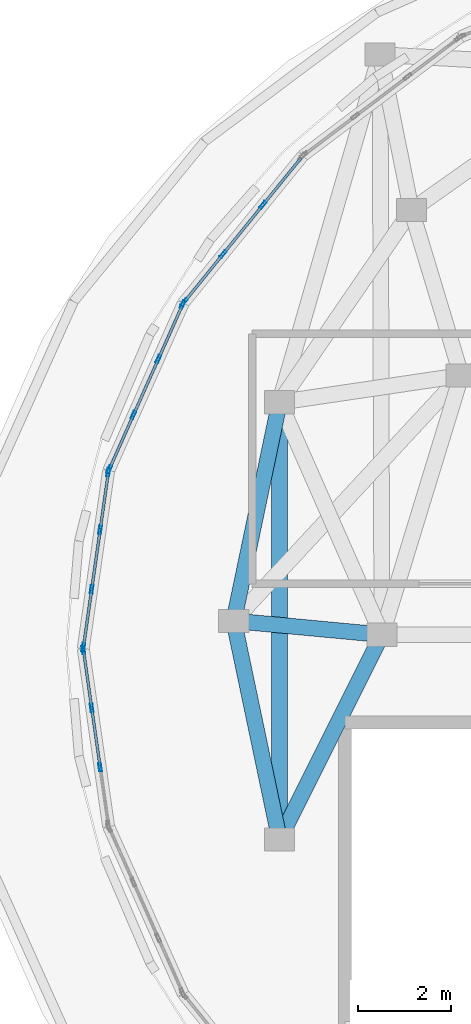
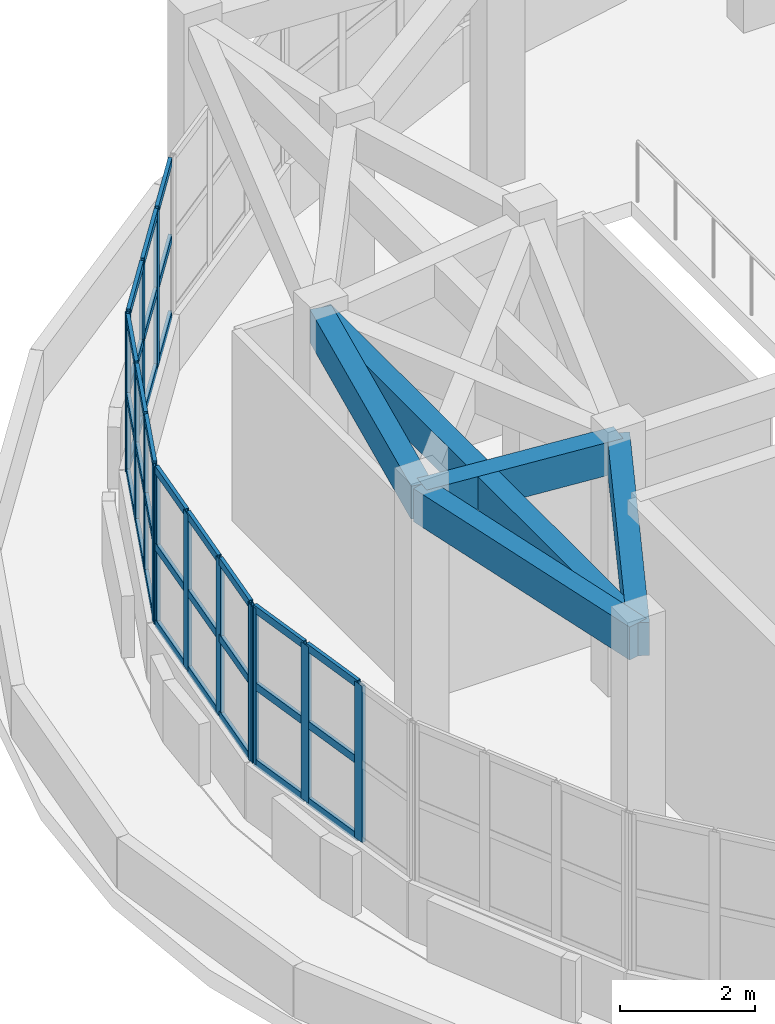
# One storey, part 11 of 98: 47 members, 5 beams, 4 elements without a shape of their own.
"""IFC4 building model written with IfcOpenShell, lengths in metres."""

from ifc_helpers import new_model, si_unit, direction, frame, origin, origin_2d, place, context, subcontext, project, spatial, rectangle, hollow_rectangle, extrude, material, layer, layer_set, material_profile, profile_set, type_object, element, aggregate, save


model = new_model("IFC4")

# Units and contexts
model_context = context("Model", 3, precision=1e-05, world=origin(), true_north=direction((0.0, 1.0)))
body_context = subcontext(model_context, "Body", "Model", "MODEL_VIEW")
ifc_project = project(units=[si_unit("LENGTHUNIT", "METRE"), si_unit("AREAUNIT", "SQUARE_METRE"), si_unit("VOLUMEUNIT", "CUBIC_METRE"), si_unit("PLANEANGLEUNIT", "RADIAN"), si_unit("MASSUNIT", "GRAM", prefix="KILO")], contexts=[model_context])

# Site, building, storey
site_placement = place(None, origin())
site = spatial("IfcSite", under=ifc_project, at=site_placement, CompositionType="ELEMENT")
building_placement = place(site_placement, origin())
building = spatial("IfcBuilding", under=site, at=building_placement, Name="Pelvatis Terrace Science Centre", CompositionType="ELEMENT")
storey_placement = place(building_placement, frame((0.0, 0.0, 5.39990234375)))
storey = spatial("IfcBuildingStorey", under=building, at=storey_placement, Name="L01", CompositionType="ELEMENT", Elevation=5.39990234375)

# Curtain wall, members
ifc_material_1 = material(Name="Bronze-anodised aluminium and laminated glass", Category="aluminium")
ifc_layer = layer(ifc_material_1, 0.179931640625)
ifc_layer_set = layer_set([ifc_layer], Name="Bronze-anodised aluminium and laminated glass")
curtain_wall_type = type_object("IfcCurtainWallType", Name="CW-RIBBON-A", PredefinedType="NOTDEFINED", material=ifc_layer_set)
curtain_wall_1_placement = place(storey_placement, origin())
curtain_wall_1 = element("IfcCurtainWall", 1, at=curtain_wall_1_placement, inside=storey, type_object=curtain_wall_type, Name="Ribbon curtain wall CW-027 (L01)", PredefinedType="NOTDEFINED")
ifc_material_2 = material(Name="Bronze-anodised aluminium 6063-T6", Category="aluminium")
ifc_material_profile_1 = material_profile(ifc_material_2, hollow_rectangle(XDim=0.06005859375, YDim=0.179931640625, WallThickness=0.00390625, at=origin_2d()), Name="ALU-MUL 60x180")
ifc_profile_set_1 = profile_set([ifc_material_profile_1], Name="Bronze-anodised aluminium 6063-T6")
member_type_1 = type_object("IfcMemberType", Name="CWM-60x180", PredefinedType="MULLION", material=ifc_profile_set_1)
member_1_placement = place(storey_placement, frame((31.43017578125, 44.381591796875, 1.02001953125), z_axis=(0.0, 0.0, 1.0), x_axis=(0.776811223185, -0.629733533753, 0.0)))
member_1 = element("IfcMember", 2, at=member_1_placement, type_object=member_type_1, Name="CW-027 mullion 2", PredefinedType="MULLION", context=body_context, shape_type="SweptSolid", body=[
    extrude(hollow_rectangle(XDim=0.06005859375, YDim=0.179931640625, WallThickness=0.00390625, at=origin_2d()), origin(), (0.0, 0.0, 1.0), 2.840087890625),
])
member_2_placement = place(storey_placement, frame((30.569580078125, 43.3203125, 1.02001953125), z_axis=(0.0, 0.0, 1.0), x_axis=(0.776811223185, -0.629733533753, 0.0)))
member_2 = element("IfcMember", 3, at=member_2_placement, type_object=member_type_1, Name="CW-027 mullion 3", PredefinedType="MULLION", context=body_context, shape_type="SweptSolid", body=[
    extrude(hollow_rectangle(XDim=0.06005859375, YDim=0.179931640625, WallThickness=0.00390625, at=origin_2d()), origin(), (0.0, 0.0, 1.0), 2.840087890625),
])
member_3_placement = place(storey_placement, frame((29.72802734375, 42.281982421875, 1.02001953125), z_axis=(0.0, 0.0, 1.0), x_axis=(0.776811223185, -0.629733533753, 0.0)))
member_3 = element("IfcMember", 4, at=member_3_placement, type_object=member_type_1, Name="CW-027 mullion 4", PredefinedType="MULLION", context=body_context, shape_type="SweptSolid", body=[
    extrude(hollow_rectangle(XDim=0.06005859375, YDim=0.179931640625, WallThickness=0.00390625, at=origin_2d()), origin(), (0.0, 0.0, 1.0), 2.840087890625),
])

curtain_wall_2_placement = place(storey_placement, origin())
curtain_wall_2 = element("IfcCurtainWall", 5, at=curtain_wall_2_placement, inside=storey, type_object=curtain_wall_type, Name="Ribbon curtain wall CW-028 (L01)", PredefinedType="NOTDEFINED")
member_4_placement = place(storey_placement, frame((29.697021484375, 42.2314453125, 1.02001953125), z_axis=(0.0, 0.0, 1.0), x_axis=(0.913474922935, -0.406895029669, 0.0)))
member_4 = element("IfcMember", 6, at=member_4_placement, type_object=member_type_1, Name="CW-028 mullion 1", PredefinedType="MULLION", context=body_context, shape_type="SweptSolid", body=[
    extrude(hollow_rectangle(XDim=0.06005859375, YDim=0.179931640625, WallThickness=0.00390625, at=origin_2d()), origin(), (0.0, 0.0, 1.0), 2.840087890625),
])
member_5_placement = place(storey_placement, frame((29.172119140625, 41.052978515625, 1.02001953125), z_axis=(0.0, 0.0, 1.0), x_axis=(0.913474922935, -0.406895029669, 0.0)))
member_5 = element("IfcMember", 7, at=member_5_placement, type_object=member_type_1, Name="CW-028 mullion 2", PredefinedType="MULLION", context=body_context, shape_type="SweptSolid", body=[
    extrude(hollow_rectangle(XDim=0.06005859375, YDim=0.179931640625, WallThickness=0.00390625, at=origin_2d()), origin(), (0.0, 0.0, 1.0), 2.840087890625),
])
member_6_placement = place(storey_placement, frame((28.634765625, 39.846923828125, 1.02001953125), z_axis=(0.0, 0.0, 1.0), x_axis=(0.913474922935, -0.406895029669, 0.0)))
member_6 = element("IfcMember", 8, at=member_6_placement, type_object=member_type_1, Name="CW-028 mullion 3", PredefinedType="MULLION", context=body_context, shape_type="SweptSolid", body=[
    extrude(hollow_rectangle(XDim=0.06005859375, YDim=0.179931640625, WallThickness=0.00390625, at=origin_2d()), origin(), (0.0, 0.0, 1.0), 2.840087890625),
])
member_7_placement = place(storey_placement, frame((28.10986328125, 38.66845703125, 1.02001953125), z_axis=(0.0, 0.0, 1.0), x_axis=(0.913474922935, -0.406895029669, 0.0)))
member_7 = element("IfcMember", 9, at=member_7_placement, type_object=member_type_1, Name="CW-028 mullion 4", PredefinedType="MULLION", context=body_context, shape_type="SweptSolid", body=[
    extrude(hollow_rectangle(XDim=0.06005859375, YDim=0.179931640625, WallThickness=0.00390625, at=origin_2d()), origin(), (0.0, 0.0, 1.0), 2.840087890625),
])

curtain_wall_3_placement = place(storey_placement, origin())
curtain_wall_3 = element("IfcCurtainWall", 10, at=curtain_wall_3_placement, inside=storey, type_object=curtain_wall_type, Name="Ribbon curtain wall CW-029 (L01)", PredefinedType="NOTDEFINED")
member_8_placement = place(storey_placement, frame((28.093505859375, 38.611328125, 1.02001953125), z_axis=(0.0, 0.0, 1.0), x_axis=(0.989986059839, -0.141165156196, 0.0)))
member_8 = element("IfcMember", 11, at=member_8_placement, type_object=member_type_1, Name="CW-029 mullion 1", PredefinedType="MULLION", context=body_context, shape_type="SweptSolid", body=[
    extrude(hollow_rectangle(XDim=0.06005859375, YDim=0.179931640625, WallThickness=0.00390625, at=origin_2d()), origin(), (0.0, 0.0, 1.0), 2.840087890625),
])
member_9_placement = place(storey_placement, frame((27.9150390625, 37.360595703125, 1.02001953125), z_axis=(0.0, 0.0, 1.0), x_axis=(0.989986059839, -0.141165156196, 0.0)))
member_9 = element("IfcMember", 12, at=member_9_placement, type_object=member_type_1, Name="CW-029 mullion 2", PredefinedType="MULLION", context=body_context, shape_type="SweptSolid", body=[
    extrude(hollow_rectangle(XDim=0.06005859375, YDim=0.179931640625, WallThickness=0.00390625, at=origin_2d()), origin(), (0.0, 0.0, 1.0), 2.840087890625),
])
member_10_placement = place(storey_placement, frame((27.732666015625, 36.080322265625, 1.02001953125), z_axis=(0.0, 0.0, 1.0), x_axis=(0.989986059839, -0.141165156196, 0.0)))
member_10 = element("IfcMember", 13, at=member_10_placement, type_object=member_type_1, Name="CW-029 mullion 3", PredefinedType="MULLION", context=body_context, shape_type="SweptSolid", body=[
    extrude(hollow_rectangle(XDim=0.06005859375, YDim=0.179931640625, WallThickness=0.00390625, at=origin_2d()), origin(), (0.0, 0.0, 1.0), 2.840087890625),
])
member_11_placement = place(storey_placement, frame((27.55419921875, 34.82958984375, 1.02001953125), z_axis=(0.0, 0.0, 1.0), x_axis=(0.989986059839, -0.141165156196, 0.0)))
member_11 = element("IfcMember", 14, at=member_11_placement, type_object=member_type_1, Name="CW-029 mullion 4", PredefinedType="MULLION", context=body_context, shape_type="SweptSolid", body=[
    extrude(hollow_rectangle(XDim=0.06005859375, YDim=0.179931640625, WallThickness=0.00390625, at=origin_2d()), origin(), (0.0, 0.0, 1.0), 2.840087890625),
])

curtain_wall_4_placement = place(storey_placement, origin())
curtain_wall_4 = element("IfcCurtainWall", 15, at=curtain_wall_4_placement, inside=storey, type_object=curtain_wall_type, Name="Ribbon curtain wall CW-030 (L01)", PredefinedType="NOTDEFINED")
member_12_placement = place(storey_placement, frame((27.55419921875, 34.770263671875, 1.02001953125), z_axis=(0.0, 0.0, 1.0), x_axis=(0.989986059839, 0.141165156196, 0.0)))
member_12 = element("IfcMember", 16, at=member_12_placement, type_object=member_type_1, Name="CW-030 mullion 1", PredefinedType="MULLION", context=body_context, shape_type="SweptSolid", body=[
    extrude(hollow_rectangle(XDim=0.06005859375, YDim=0.179931640625, WallThickness=0.00390625, at=origin_2d()), origin(), (0.0, 0.0, 1.0), 2.840087890625),
])
member_13_placement = place(storey_placement, frame((27.732666015625, 33.519775390625, 1.02001953125), z_axis=(0.0, 0.0, 1.0), x_axis=(0.989986059839, 0.141165156196, 0.0)))
member_13 = element("IfcMember", 17, at=member_13_placement, type_object=member_type_1, Name="CW-030 mullion 2", PredefinedType="MULLION", context=body_context, shape_type="SweptSolid", body=[
    extrude(hollow_rectangle(XDim=0.06005859375, YDim=0.179931640625, WallThickness=0.00390625, at=origin_2d()), origin(), (0.0, 0.0, 1.0), 2.840087890625),
])
member_14_placement = place(storey_placement, frame((27.9150390625, 32.2392578125, 1.02001953125), z_axis=(0.0, 0.0, 1.0), x_axis=(0.989986059839, 0.141165156196, 0.0)))
member_14 = element("IfcMember", 18, at=member_14_placement, type_object=member_type_1, Name="CW-030 mullion 3", PredefinedType="MULLION", context=body_context, shape_type="SweptSolid", body=[
    extrude(hollow_rectangle(XDim=0.06005859375, YDim=0.179931640625, WallThickness=0.00390625, at=origin_2d()), origin(), (0.0, 0.0, 1.0), 2.840087890625),
])

# Member
ifc_material_3 = material(Name="Bronze-anodised aluminium 6063-T6", Category="aluminium")
ifc_material_profile_2 = material_profile(ifc_material_3, hollow_rectangle(XDim=0.06005859375, YDim=0.139892578125, WallThickness=0.00390625, at=origin_2d()), Name="ALU-TRN 60x140")
ifc_profile_set_2 = profile_set([ifc_material_profile_2], Name="Bronze-anodised aluminium 6063-T6")
member_type_2 = type_object("IfcMemberType", Name="CWT-60x140", PredefinedType="USERDEFINED", material=ifc_profile_set_2)
member_15_placement = place(storey_placement, frame((32.2529296875, 45.396484375, 1.050048828125), z_axis=(-0.629836265842, -0.776727930636, 0.0), x_axis=(0.776727930636, -0.629836265842, 0.0)))
member_15 = element("IfcMember", 19, at=member_15_placement, type_object=member_type_2, Name="CW-027 transom 1.1", ObjectType="TRANSOM", PredefinedType="USERDEFINED", context=body_context, shape_type="SweptSolid", body=[
    extrude(hollow_rectangle(XDim=0.06005859375, YDim=0.139892578125, WallThickness=0.00390625, at=origin_2d()), origin(), (0.0, 0.0, 1.0), 1.2763671875),
])

member_16_placement = place(storey_placement, frame((32.2529296875, 45.396484375, 2.440185546875), z_axis=(-0.629836265842, -0.776727930636, 0.0), x_axis=(0.776727930636, -0.629836265842, 0.0)))
member_16 = element("IfcMember", 20, at=member_16_placement, type_object=member_type_2, Name="CW-027 transom 1.2", ObjectType="TRANSOM", PredefinedType="USERDEFINED", context=body_context, shape_type="SweptSolid", body=[
    extrude(hollow_rectangle(XDim=0.06005859375, YDim=0.139892578125, WallThickness=0.00390625, at=origin_2d()), origin(), (0.0, 0.0, 1.0), 1.2763671875),
])

member_17_placement = place(storey_placement, frame((32.2529296875, 45.396484375, 3.830078125), z_axis=(-0.629836265842, -0.776727930636, 0.0), x_axis=(0.776727930636, -0.629836265842, 0.0)))
member_17 = element("IfcMember", 21, at=member_17_placement, type_object=member_type_2, Name="CW-027 transom 1.3", ObjectType="TRANSOM", PredefinedType="USERDEFINED", context=body_context, shape_type="SweptSolid", body=[
    extrude(hollow_rectangle(XDim=0.06005859375, YDim=0.139892578125, WallThickness=0.00390625, at=origin_2d()), origin(), (0.0, 0.0, 1.0), 1.2763671875),
])

member_18_placement = place(storey_placement, frame((31.4111328125, 44.3583984375, 1.050048828125), z_axis=(-0.629628232494, -0.776896575386, 0.0), x_axis=(0.776896575386, -0.629628232494, 0.0)))
member_18 = element("IfcMember", 22, at=member_18_placement, type_object=member_type_2, Name="CW-027 transom 2.1", ObjectType="TRANSOM", PredefinedType="USERDEFINED", context=body_context, shape_type="SweptSolid", body=[
    extrude(hollow_rectangle(XDim=0.06005859375, YDim=0.139892578125, WallThickness=0.00390625, at=origin_2d()), origin(), (0.0, 0.0, 1.0), 1.306396484375),
])

member_19_placement = place(storey_placement, frame((31.4111328125, 44.3583984375, 2.440185546875), z_axis=(-0.629628232494, -0.776896575386, 0.0), x_axis=(0.776896575386, -0.629628232494, 0.0)))
member_19 = element("IfcMember", 23, at=member_19_placement, type_object=member_type_2, Name="CW-027 transom 2.2", ObjectType="TRANSOM", PredefinedType="USERDEFINED", context=body_context, shape_type="SweptSolid", body=[
    extrude(hollow_rectangle(XDim=0.06005859375, YDim=0.139892578125, WallThickness=0.00390625, at=origin_2d()), origin(), (0.0, 0.0, 1.0), 1.306396484375),
])

member_20_placement = place(storey_placement, frame((31.4111328125, 44.3583984375, 3.830078125), z_axis=(-0.629628232494, -0.776896575386, 0.0), x_axis=(0.776896575386, -0.629628232494, 0.0)))
member_20 = element("IfcMember", 24, at=member_20_placement, type_object=member_type_2, Name="CW-027 transom 2.3", ObjectType="TRANSOM", PredefinedType="USERDEFINED", context=body_context, shape_type="SweptSolid", body=[
    extrude(hollow_rectangle(XDim=0.06005859375, YDim=0.139892578125, WallThickness=0.00390625, at=origin_2d()), origin(), (0.0, 0.0, 1.0), 1.306396484375),
])

member_21_placement = place(storey_placement, frame((30.55078125, 43.296875, 1.050048828125), z_axis=(-0.6297208535, -0.776821502449, 0.0), x_axis=(0.776821502449, -0.6297208535, 0.0)))
member_21 = element("IfcMember", 25, at=member_21_placement, type_object=member_type_2, Name="CW-027 transom 3.1", ObjectType="TRANSOM", PredefinedType="USERDEFINED", context=body_context, shape_type="SweptSolid", body=[
    extrude(hollow_rectangle(XDim=0.06005859375, YDim=0.139892578125, WallThickness=0.00390625, at=origin_2d()), origin(), (0.0, 0.0, 1.0), 1.2763671875),
])

member_22_placement = place(storey_placement, frame((30.55078125, 43.296875, 2.440185546875), z_axis=(-0.6297208535, -0.776821502449, 0.0), x_axis=(0.776821502449, -0.6297208535, 0.0)))
member_22 = element("IfcMember", 26, at=member_22_placement, type_object=member_type_2, Name="CW-027 transom 3.2", ObjectType="TRANSOM", PredefinedType="USERDEFINED", context=body_context, shape_type="SweptSolid", body=[
    extrude(hollow_rectangle(XDim=0.06005859375, YDim=0.139892578125, WallThickness=0.00390625, at=origin_2d()), origin(), (0.0, 0.0, 1.0), 1.2763671875),
])

member_23_placement = place(storey_placement, frame((30.55078125, 43.296875, 3.830078125), z_axis=(-0.6297208535, -0.776821502449, 0.0), x_axis=(0.776821502449, -0.6297208535, 0.0)))
member_23 = element("IfcMember", 27, at=member_23_placement, type_object=member_type_2, Name="CW-027 transom 3.3", ObjectType="TRANSOM", PredefinedType="USERDEFINED", context=body_context, shape_type="SweptSolid", body=[
    extrude(hollow_rectangle(XDim=0.06005859375, YDim=0.139892578125, WallThickness=0.00390625, at=origin_2d()), origin(), (0.0, 0.0, 1.0), 1.2763671875),
])

aggregate(curtain_wall_1, [member_1, member_2, member_3, member_15, member_16, member_17, member_18, member_19, member_20, member_21, member_22, member_23])

member_24_placement = place(storey_placement, frame((29.684814453125, 42.2041015625, 1.050048828125), z_axis=(-0.406838063449, -0.913500295637, 0.0), x_axis=(0.913500295637, -0.406838063449, 0.0)))
member_24 = element("IfcMember", 28, at=member_24_placement, type_object=member_type_2, Name="CW-028 transom 1.1", ObjectType="TRANSOM", PredefinedType="USERDEFINED", context=body_context, shape_type="SweptSolid", body=[
    extrude(hollow_rectangle(XDim=0.06005859375, YDim=0.139892578125, WallThickness=0.00390625, at=origin_2d()), origin(), (0.0, 0.0, 1.0), 1.230224609375),
])

member_25_placement = place(storey_placement, frame((29.684814453125, 42.2041015625, 2.440185546875), z_axis=(-0.406838063449, -0.913500295637, 0.0), x_axis=(0.913500295637, -0.406838063449, 0.0)))
member_25 = element("IfcMember", 29, at=member_25_placement, type_object=member_type_2, Name="CW-028 transom 1.2", ObjectType="TRANSOM", PredefinedType="USERDEFINED", context=body_context, shape_type="SweptSolid", body=[
    extrude(hollow_rectangle(XDim=0.06005859375, YDim=0.139892578125, WallThickness=0.00390625, at=origin_2d()), origin(), (0.0, 0.0, 1.0), 1.230224609375),
])

member_26_placement = place(storey_placement, frame((29.684814453125, 42.2041015625, 3.830078125), z_axis=(-0.406838063449, -0.913500295637, 0.0), x_axis=(0.913500295637, -0.406838063449, 0.0)))
member_26 = element("IfcMember", 30, at=member_26_placement, type_object=member_type_2, Name="CW-028 transom 1.3", ObjectType="TRANSOM", PredefinedType="USERDEFINED", context=body_context, shape_type="SweptSolid", body=[
    extrude(hollow_rectangle(XDim=0.06005859375, YDim=0.139892578125, WallThickness=0.00390625, at=origin_2d()), origin(), (0.0, 0.0, 1.0), 1.230224609375),
])

member_27_placement = place(storey_placement, frame((29.159912109375, 41.025390625, 1.050048828125), z_axis=(-0.407019033229, -0.913419677142, 0.0), x_axis=(0.913419677142, -0.407019033229, 0.0)))
member_27 = element("IfcMember", 31, at=member_27_placement, type_object=member_type_2, Name="CW-028 transom 2.1", ObjectType="TRANSOM", PredefinedType="USERDEFINED", context=body_context, shape_type="SweptSolid", body=[
    extrude(hollow_rectangle(XDim=0.06005859375, YDim=0.139892578125, WallThickness=0.00390625, at=origin_2d()), origin(), (0.0, 0.0, 1.0), 1.26025390625),
])

member_28_placement = place(storey_placement, frame((29.159912109375, 41.025390625, 2.440185546875), z_axis=(-0.407019033229, -0.913419677142, 0.0), x_axis=(0.913419677142, -0.407019033229, 0.0)))
member_28 = element("IfcMember", 32, at=member_28_placement, type_object=member_type_2, Name="CW-028 transom 2.2", ObjectType="TRANSOM", PredefinedType="USERDEFINED", context=body_context, shape_type="SweptSolid", body=[
    extrude(hollow_rectangle(XDim=0.06005859375, YDim=0.139892578125, WallThickness=0.00390625, at=origin_2d()), origin(), (0.0, 0.0, 1.0), 1.26025390625),
])

member_29_placement = place(storey_placement, frame((29.159912109375, 41.025390625, 3.830078125), z_axis=(-0.407019033229, -0.913419677142, 0.0), x_axis=(0.913419677142, -0.407019033229, 0.0)))
member_29 = element("IfcMember", 33, at=member_29_placement, type_object=member_type_2, Name="CW-028 transom 2.3", ObjectType="TRANSOM", PredefinedType="USERDEFINED", context=body_context, shape_type="SweptSolid", body=[
    extrude(hollow_rectangle(XDim=0.06005859375, YDim=0.139892578125, WallThickness=0.00390625, at=origin_2d()), origin(), (0.0, 0.0, 1.0), 1.26025390625),
])

member_30_placement = place(storey_placement, frame((28.62255859375, 39.819580078125, 1.050048828125), z_axis=(-0.406838063449, -0.913500295637, 0.0), x_axis=(0.913500295637, -0.406838063449, 0.0)))
member_30 = element("IfcMember", 34, at=member_30_placement, type_object=member_type_2, Name="CW-028 transom 3.1", ObjectType="TRANSOM", PredefinedType="USERDEFINED", context=body_context, shape_type="SweptSolid", body=[
    extrude(hollow_rectangle(XDim=0.06005859375, YDim=0.139892578125, WallThickness=0.00390625, at=origin_2d()), origin(), (0.0, 0.0, 1.0), 1.230224609375),
])

member_31_placement = place(storey_placement, frame((28.62255859375, 39.819580078125, 2.440185546875), z_axis=(-0.406838063449, -0.913500295637, 0.0), x_axis=(0.913500295637, -0.406838063449, 0.0)))
member_31 = element("IfcMember", 35, at=member_31_placement, type_object=member_type_2, Name="CW-028 transom 3.2", ObjectType="TRANSOM", PredefinedType="USERDEFINED", context=body_context, shape_type="SweptSolid", body=[
    extrude(hollow_rectangle(XDim=0.06005859375, YDim=0.139892578125, WallThickness=0.00390625, at=origin_2d()), origin(), (0.0, 0.0, 1.0), 1.230224609375),
])

member_32_placement = place(storey_placement, frame((28.62255859375, 39.819580078125, 3.830078125), z_axis=(-0.406838063449, -0.913500295637, 0.0), x_axis=(0.913500295637, -0.406838063449, 0.0)))
member_32 = element("IfcMember", 36, at=member_32_placement, type_object=member_type_2, Name="CW-028 transom 3.3", ObjectType="TRANSOM", PredefinedType="USERDEFINED", context=body_context, shape_type="SweptSolid", body=[
    extrude(hollow_rectangle(XDim=0.06005859375, YDim=0.139892578125, WallThickness=0.00390625, at=origin_2d()), origin(), (0.0, 0.0, 1.0), 1.230224609375),
])

aggregate(curtain_wall_2, [member_4, member_5, member_6, member_7, member_24, member_25, member_26, member_27, member_28, member_29, member_30, member_31, member_32])

member_33_placement = place(storey_placement, frame((28.089111328125, 38.58154296875, 1.050048828125), z_axis=(-0.141023637875, -0.990006229051, 0.0), x_axis=(0.990006229051, -0.141023637875, 0.0)))
member_33 = element("IfcMember", 37, at=member_33_placement, type_object=member_type_2, Name="CW-029 transom 1.1", ObjectType="TRANSOM", PredefinedType="USERDEFINED", context=body_context, shape_type="SweptSolid", body=[
    extrude(hollow_rectangle(XDim=0.06005859375, YDim=0.139892578125, WallThickness=0.00390625, at=origin_2d()), origin(), (0.0, 0.0, 1.0), 1.203125),
])

member_34_placement = place(storey_placement, frame((28.089111328125, 38.58154296875, 2.440185546875), z_axis=(-0.141023637875, -0.990006229051, 0.0), x_axis=(0.990006229051, -0.141023637875, 0.0)))
member_34 = element("IfcMember", 38, at=member_34_placement, type_object=member_type_2, Name="CW-029 transom 1.2", ObjectType="TRANSOM", PredefinedType="USERDEFINED", context=body_context, shape_type="SweptSolid", body=[
    extrude(hollow_rectangle(XDim=0.06005859375, YDim=0.139892578125, WallThickness=0.00390625, at=origin_2d()), origin(), (0.0, 0.0, 1.0), 1.203125),
])

member_35_placement = place(storey_placement, frame((28.089111328125, 38.58154296875, 3.830078125), z_axis=(-0.141023637875, -0.990006229051, 0.0), x_axis=(0.990006229051, -0.141023637875, 0.0)))
member_35 = element("IfcMember", 39, at=member_35_placement, type_object=member_type_2, Name="CW-029 transom 1.3", ObjectType="TRANSOM", PredefinedType="USERDEFINED", context=body_context, shape_type="SweptSolid", body=[
    extrude(hollow_rectangle(XDim=0.06005859375, YDim=0.139892578125, WallThickness=0.00390625, at=origin_2d()), origin(), (0.0, 0.0, 1.0), 1.203125),
])

member_36_placement = place(storey_placement, frame((27.910888671875, 37.3310546875, 1.050048828125), z_axis=(-0.141144209191, -0.989989046511, 0.0), x_axis=(0.989989046511, -0.141144209191, 0.0)))
member_36 = element("IfcMember", 40, at=member_36_placement, type_object=member_type_2, Name="CW-029 transom 2.1", ObjectType="TRANSOM", PredefinedType="USERDEFINED", context=body_context, shape_type="SweptSolid", body=[
    extrude(hollow_rectangle(XDim=0.06005859375, YDim=0.139892578125, WallThickness=0.00390625, at=origin_2d()), origin(), (0.0, 0.0, 1.0), 1.2333984375),
])

member_37_placement = place(storey_placement, frame((27.910888671875, 37.3310546875, 2.440185546875), z_axis=(-0.141144209191, -0.989989046511, 0.0), x_axis=(0.989989046511, -0.141144209191, 0.0)))
member_37 = element("IfcMember", 41, at=member_37_placement, type_object=member_type_2, Name="CW-029 transom 2.2", ObjectType="TRANSOM", PredefinedType="USERDEFINED", context=body_context, shape_type="SweptSolid", body=[
    extrude(hollow_rectangle(XDim=0.06005859375, YDim=0.139892578125, WallThickness=0.00390625, at=origin_2d()), origin(), (0.0, 0.0, 1.0), 1.2333984375),
])

member_38_placement = place(storey_placement, frame((27.910888671875, 37.3310546875, 3.830078125), z_axis=(-0.141144209191, -0.989989046511, 0.0), x_axis=(0.989989046511, -0.141144209191, 0.0)))
member_38 = element("IfcMember", 42, at=member_38_placement, type_object=member_type_2, Name="CW-029 transom 2.3", ObjectType="TRANSOM", PredefinedType="USERDEFINED", context=body_context, shape_type="SweptSolid", body=[
    extrude(hollow_rectangle(XDim=0.06005859375, YDim=0.139892578125, WallThickness=0.00390625, at=origin_2d()), origin(), (0.0, 0.0, 1.0), 1.2333984375),
])

member_39_placement = place(storey_placement, frame((27.728271484375, 36.050537109375, 1.050048828125), z_axis=(-0.141222505603, -0.989977880516, 0.0), x_axis=(0.989977880516, -0.141222505603, 0.0)))
member_39 = element("IfcMember", 43, at=member_39_placement, type_object=member_type_2, Name="CW-029 transom 3.1", ObjectType="TRANSOM", PredefinedType="USERDEFINED", context=body_context, shape_type="SweptSolid", body=[
    extrude(hollow_rectangle(XDim=0.06005859375, YDim=0.139892578125, WallThickness=0.00390625, at=origin_2d()), origin(), (0.0, 0.0, 1.0), 1.203125),
])

member_40_placement = place(storey_placement, frame((27.728271484375, 36.050537109375, 2.440185546875), z_axis=(-0.141222505603, -0.989977880516, 0.0), x_axis=(0.989977880516, -0.141222505603, 0.0)))
member_40 = element("IfcMember", 44, at=member_40_placement, type_object=member_type_2, Name="CW-029 transom 3.2", ObjectType="TRANSOM", PredefinedType="USERDEFINED", context=body_context, shape_type="SweptSolid", body=[
    extrude(hollow_rectangle(XDim=0.06005859375, YDim=0.139892578125, WallThickness=0.00390625, at=origin_2d()), origin(), (0.0, 0.0, 1.0), 1.203125),
])

member_41_placement = place(storey_placement, frame((27.728271484375, 36.050537109375, 3.830078125), z_axis=(-0.141222505603, -0.989977880516, 0.0), x_axis=(0.989977880516, -0.141222505603, 0.0)))
member_41 = element("IfcMember", 45, at=member_41_placement, type_object=member_type_2, Name="CW-029 transom 3.3", ObjectType="TRANSOM", PredefinedType="USERDEFINED", context=body_context, shape_type="SweptSolid", body=[
    extrude(hollow_rectangle(XDim=0.06005859375, YDim=0.139892578125, WallThickness=0.00390625, at=origin_2d()), origin(), (0.0, 0.0, 1.0), 1.203125),
])

aggregate(curtain_wall_3, [member_8, member_9, member_10, member_11, member_33, member_34, member_35, member_36, member_37, member_38, member_39, member_40, member_41])

member_42_placement = place(storey_placement, frame((27.558349609375, 34.74072265625, 1.050048828125), z_axis=(0.141194143546, -0.989981926011, 0.0), x_axis=(0.989981926011, 0.141194143546, 0.0)))
member_42 = element("IfcMember", 46, at=member_42_placement, type_object=member_type_2, Name="CW-030 transom 1.1", ObjectType="TRANSOM", PredefinedType="USERDEFINED", context=body_context, shape_type="SweptSolid", body=[
    extrude(hollow_rectangle(XDim=0.06005859375, YDim=0.139892578125, WallThickness=0.00390625, at=origin_2d()), origin(), (0.0, 0.0, 1.0), 1.203369140625),
])

member_43_placement = place(storey_placement, frame((27.558349609375, 34.74072265625, 2.440185546875), z_axis=(0.141194143546, -0.989981926011, 0.0), x_axis=(0.989981926011, 0.141194143546, 0.0)))
member_43 = element("IfcMember", 47, at=member_43_placement, type_object=member_type_2, Name="CW-030 transom 1.2", ObjectType="TRANSOM", PredefinedType="USERDEFINED", context=body_context, shape_type="SweptSolid", body=[
    extrude(hollow_rectangle(XDim=0.06005859375, YDim=0.139892578125, WallThickness=0.00390625, at=origin_2d()), origin(), (0.0, 0.0, 1.0), 1.203369140625),
])

member_44_placement = place(storey_placement, frame((27.558349609375, 34.74072265625, 3.830078125), z_axis=(0.141194143546, -0.989981926011, 0.0), x_axis=(0.989981926011, 0.141194143546, 0.0)))
member_44 = element("IfcMember", 48, at=member_44_placement, type_object=member_type_2, Name="CW-030 transom 1.3", ObjectType="TRANSOM", PredefinedType="USERDEFINED", context=body_context, shape_type="SweptSolid", body=[
    extrude(hollow_rectangle(XDim=0.06005859375, YDim=0.139892578125, WallThickness=0.00390625, at=origin_2d()), origin(), (0.0, 0.0, 1.0), 1.203369140625),
])

member_45_placement = place(storey_placement, frame((27.73681640625, 33.489990234375, 1.050048828125), z_axis=(0.141144209191, -0.989989046511, 0.0), x_axis=(0.989989046511, 0.141144209191, 0.0)))
member_45 = element("IfcMember", 49, at=member_45_placement, type_object=member_type_2, Name="CW-030 transom 2.1", ObjectType="TRANSOM", PredefinedType="USERDEFINED", context=body_context, shape_type="SweptSolid", body=[
    extrude(hollow_rectangle(XDim=0.06005859375, YDim=0.139892578125, WallThickness=0.00390625, at=origin_2d()), origin(), (0.0, 0.0, 1.0), 1.2333984375),
])

member_46_placement = place(storey_placement, frame((27.73681640625, 33.489990234375, 2.440185546875), z_axis=(0.141144209191, -0.989989046511, 0.0), x_axis=(0.989989046511, 0.141144209191, 0.0)))
member_46 = element("IfcMember", 50, at=member_46_placement, type_object=member_type_2, Name="CW-030 transom 2.2", ObjectType="TRANSOM", PredefinedType="USERDEFINED", context=body_context, shape_type="SweptSolid", body=[
    extrude(hollow_rectangle(XDim=0.06005859375, YDim=0.139892578125, WallThickness=0.00390625, at=origin_2d()), origin(), (0.0, 0.0, 1.0), 1.2333984375),
])

member_47_placement = place(storey_placement, frame((27.73681640625, 33.489990234375, 3.830078125), z_axis=(0.141144209191, -0.989989046511, 0.0), x_axis=(0.989989046511, 0.141144209191, 0.0)))
member_47 = element("IfcMember", 51, at=member_47_placement, type_object=member_type_2, Name="CW-030 transom 2.3", ObjectType="TRANSOM", PredefinedType="USERDEFINED", context=body_context, shape_type="SweptSolid", body=[
    extrude(hollow_rectangle(XDim=0.06005859375, YDim=0.139892578125, WallThickness=0.00390625, at=origin_2d()), origin(), (0.0, 0.0, 1.0), 1.2333984375),
])

aggregate(curtain_wall_4, [member_12, member_13, member_14, member_42, member_43, member_44, member_45, member_46, member_47])

# Beams
ifc_material_4 = material(Name="Concrete C35/45", Category="concrete")
ifc_material_profile_3 = material_profile(ifc_material_4, rectangle(XDim=0.340087890625, YDim=0.60009765625, at=origin_2d()), Name="RC-SPN 340x600")
ifc_profile_set_3 = profile_set([ifc_material_profile_3], Name="Concrete C35/45")
beam_type = type_object("IfcBeamType", Name="SPN-RC-340x600", PredefinedType="SPANDREL", material=ifc_profile_set_3)
beam_1_placement = place(storey_placement, frame((31.7890625, 40.119873046875, 4.239990234375), z_axis=(-0.205084222671, -0.978744329031, 0.0), x_axis=(0.978744329031, -0.205084222671, 0.0)))
element("IfcBeam", 52, at=beam_1_placement, inside=storey, type_object=beam_type, Name="Spandrel SP-L01-2687", PredefinedType="SPANDREL", context=body_context, shape_type="SweptSolid", body=[
    extrude(rectangle(XDim=0.340087890625, YDim=0.60009765625, at=origin_2d()), origin(), (0.0, 0.0, 1.0), 4.822509765625),
])
beam_2_placement = place(storey_placement, frame((31.7890625, 40.119873046875, 4.239990234375), z_axis=(0.0, -1.0, 0.0), x_axis=(1.0, 0.0, 0.0)))
element("IfcBeam", 53, at=beam_2_placement, inside=storey, type_object=beam_type, Name="Spandrel SP-L01-2688", PredefinedType="SPANDREL", context=body_context, shape_type="SweptSolid", body=[
    extrude(rectangle(XDim=0.340087890625, YDim=0.60009765625, at=origin_2d()), origin(), (0.0, 0.0, 1.0), 9.439697265625),
])
beam_3_placement = place(storey_placement, frame((30.800048828125, 35.39990234375, 4.239990234375), z_axis=(0.205094384984, -0.978742199585, 0.0), x_axis=(0.978742199585, 0.205094384984, 0.0)))
element("IfcBeam", 54, at=beam_3_placement, inside=storey, type_object=beam_type, Name="Spandrel SP-L01-2692", PredefinedType="SPANDREL", context=body_context, shape_type="SweptSolid", body=[
    extrude(rectangle(XDim=0.340087890625, YDim=0.60009765625, at=origin_2d()), origin(), (0.0, 0.0, 1.0), 4.822265625),
])
beam_4_placement = place(storey_placement, frame((30.800048828125, 35.39990234375, 4.239990234375), z_axis=(0.995639739504, -0.09328187992, 0.0), x_axis=(0.09328187992, 0.995639739504, 0.0)))
element("IfcBeam", 55, at=beam_4_placement, inside=storey, type_object=beam_type, Name="Spandrel SP-L01-2694", PredefinedType="SPANDREL", context=body_context, shape_type="SweptSolid", body=[
    extrude(rectangle(XDim=0.340087890625, YDim=0.60009765625, at=origin_2d()), origin(), (0.0, 0.0, 1.0), 3.2138671875),
])
beam_5_placement = place(storey_placement, frame((31.7890625, 30.68017578125, 4.239990234375), z_axis=(0.447371670377, 0.894348136099, 0.0), x_axis=(-0.894348136099, 0.447371670377, 0.0)))
element("IfcBeam", 56, at=beam_5_placement, inside=storey, type_object=beam_type, Name="Spandrel SP-L01-2695", PredefinedType="SPANDREL", context=body_context, shape_type="SweptSolid", body=[
    extrude(rectangle(XDim=0.340087890625, YDim=0.60009765625, at=origin_2d()), origin(), (0.0, 0.0, 1.0), 4.942138671875),
])

save(model, "model.ifc")
